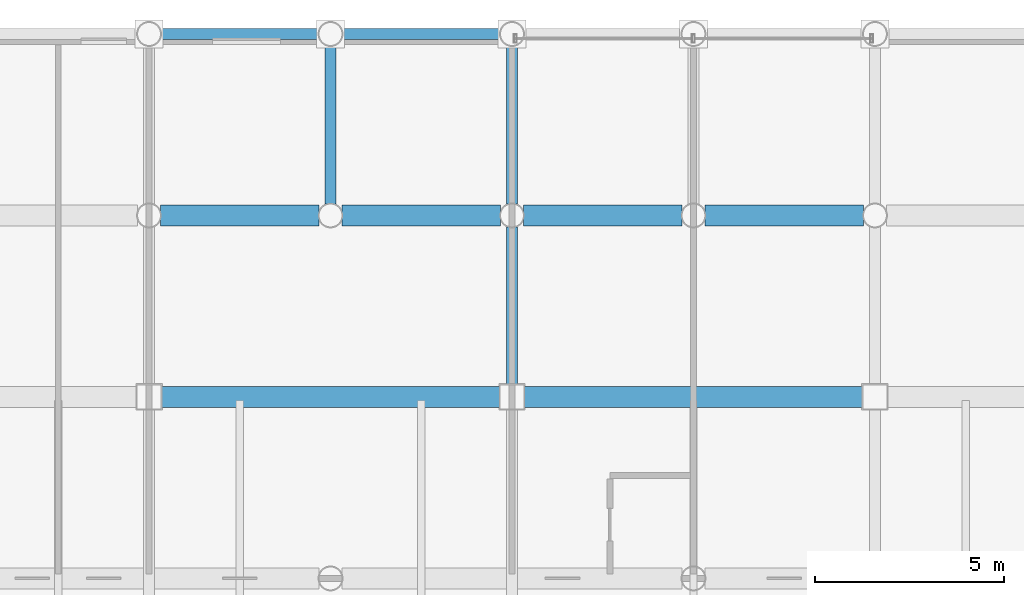
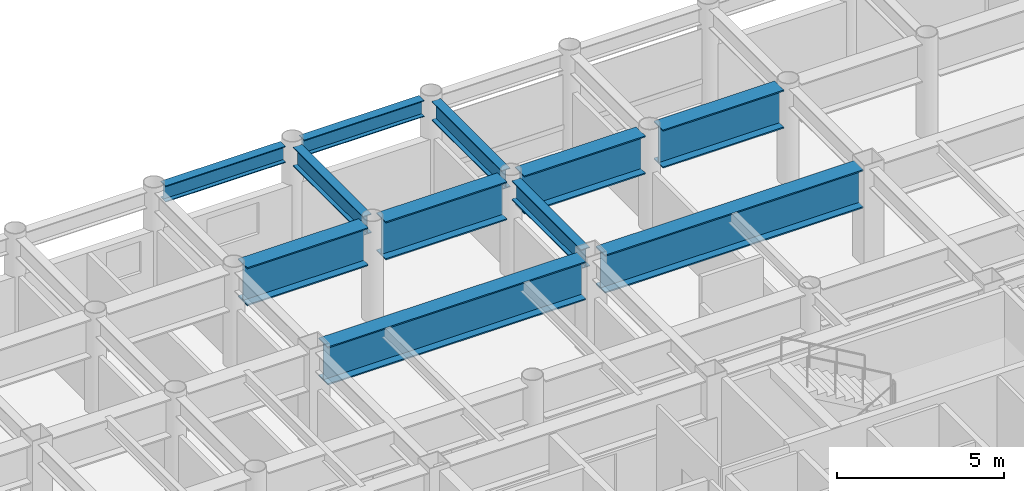
# One storey, part 12 of 22: 11 beams.
"""IFC4 building model written with IfcOpenShell, lengths in metres."""

from ifc_helpers import new_model, si_unit, direction, frame, origin, origin_2d, place, context, subcontext, project, spatial, i_section, extrude, material, material_profile, profile_set, type_object, element, save


model = new_model("IFC4")

# Units and contexts
model_context = context("Model", 3, precision=1e-05, world=origin(), true_north=direction((0.0, 1.0)))
body_context = subcontext(model_context, "Body", "Model", "MODEL_VIEW")
ifc_project = project(units=[si_unit("LENGTHUNIT", "METRE"), si_unit("AREAUNIT", "SQUARE_METRE"), si_unit("VOLUMEUNIT", "CUBIC_METRE"), si_unit("PLANEANGLEUNIT", "RADIAN"), si_unit("MASSUNIT", "GRAM", prefix="KILO")], contexts=[model_context])

# Site, building, storey
site_placement = place(None, origin())
site = spatial("IfcSite", under=ifc_project, at=site_placement, CompositionType="ELEMENT")
building_placement = place(site_placement, origin())
building = spatial("IfcBuilding", under=site, at=building_placement, Name="Kallvorn Hotel Tower", CompositionType="ELEMENT")
storey_placement = place(building_placement, frame((0.0, 0.0, 95.199951171875)))
storey = spatial("IfcBuildingStorey", under=building, at=storey_placement, Name="L22", CompositionType="ELEMENT", Elevation=95.199951171875)

# Beams
ifc_material_1 = material(Name="Structural steel S355JR", Category="steel")
ifc_material_profile_1 = material_profile(ifc_material_1, i_section(OverallWidth=0.300048828125, OverallDepth=0.60009765625, WebThickness=0.015380859375, FlangeThickness=0.030029296875, at=origin_2d()), Name="HE 600 B")
ifc_profile_set_1 = profile_set([ifc_material_profile_1], Name="Structural steel S355JR")
beam_type_1 = type_object("IfcBeamType", Name="BM_HE600B", PredefinedType="SPANDREL", material=ifc_profile_set_1)
beam_1_placement = place(storey_placement, frame((-14.080078125, 24.0, 3.219970703125), z_axis=(1.0, 0.0, 0.0), x_axis=(0.0, 1.0, 0.0)))
element("IfcBeam", 1, at=beam_1_placement, inside=storey, type_object=beam_type_1, Name="L23 Perimeter Spandrel 165", PredefinedType="SPANDREL", context=body_context, shape_type="SweptSolid", body=[
    extrude(i_section(OverallWidth=0.300048828125, OverallDepth=0.60009765625, WebThickness=0.015380859375, FlangeThickness=0.030029296875, at=origin_2d()), origin(), (0.0, 0.0, 1.0), 4.16015625),
])
beam_2_placement = place(storey_placement, frame((-9.280029296875, 24.0, 3.219970703125), z_axis=(1.0, 0.0, 0.0), x_axis=(0.0, 1.0, 0.0)))
element("IfcBeam", 2, at=beam_2_placement, inside=storey, type_object=beam_type_1, Name="L23 Perimeter Spandrel 166", PredefinedType="SPANDREL", context=body_context, shape_type="SweptSolid", body=[
    extrude(i_section(OverallWidth=0.300048828125, OverallDepth=0.60009765625, WebThickness=0.015380859375, FlangeThickness=0.030029296875, at=origin_2d()), origin(), (0.0, 0.0, 1.0), 4.159912109375),
])
ifc_material_2 = material(Name="Structural steel S355JR", Category="steel")
ifc_material_profile_2 = material_profile(ifc_material_2, i_section(OverallWidth=0.300048828125, OverallDepth=0.699951171875, WebThickness=0.01708984375, FlangeThickness=0.031982421875, at=origin_2d()), Name="HE 700 B")
ifc_profile_set_2 = profile_set([ifc_material_profile_2], Name="Structural steel S355JR")
beam_type_2 = type_object("IfcBeamType", Name="BM_HE700B", PredefinedType="BEAM", material=ifc_profile_set_2)
beam_3_placement = place(storey_placement, frame((-9.60009765625, 19.5048828125, 3.170166015625), z_axis=(0.0, 1.0, 0.0), x_axis=(-1.0, 0.0, 0.0)))
element("IfcBeam", 3, at=beam_3_placement, inside=storey, type_object=beam_type_2, Name="L23 Primary Y-Girder 104", PredefinedType="BEAM", context=body_context, shape_type="SweptSolid", body=[
    extrude(i_section(OverallWidth=0.300048828125, OverallDepth=0.699951171875, WebThickness=0.01708984375, FlangeThickness=0.031982421875, at=origin_2d()), origin(), (0.0, 0.0, 1.0), 4.190185546875),
])
beam_4_placement = place(storey_placement, frame((-4.800048828125, 14.72509765625, 3.170166015625), z_axis=(0.0, 1.0, 0.0), x_axis=(-1.0, 0.0, 0.0)))
element("IfcBeam", 4, at=beam_4_placement, inside=storey, type_object=beam_type_2, Name="L23 Primary Y-Girder 108", PredefinedType="BEAM", context=body_context, shape_type="SweptSolid", body=[
    extrude(i_section(OverallWidth=0.300048828125, OverallDepth=0.699951171875, WebThickness=0.01708984375, FlangeThickness=0.031982421875, at=origin_2d()), origin(), (0.0, 0.0, 1.0), 4.169921875),
])
beam_5_placement = place(storey_placement, frame((-4.800048828125, 19.5048828125, 3.170166015625), z_axis=(0.0, 1.0, 0.0), x_axis=(-1.0, 0.0, 0.0)))
element("IfcBeam", 5, at=beam_5_placement, inside=storey, type_object=beam_type_2, Name="L23 Primary Y-Girder 109", PredefinedType="BEAM", context=body_context, shape_type="SweptSolid", body=[
    extrude(i_section(OverallWidth=0.300048828125, OverallDepth=0.699951171875, WebThickness=0.01708984375, FlangeThickness=0.031982421875, at=origin_2d()), origin(), (0.0, 0.0, 1.0), 4.190185546875),
])
ifc_material_3 = material(Name="Structural steel S355JR", Category="steel")
ifc_material_profile_3 = material_profile(ifc_material_3, i_section(OverallWidth=0.550048828125, OverallDepth=1.39990234375, WebThickness=0.02490234375, FlangeThickness=0.044921875, at=origin_2d()), Name="PG 1400x550x25x45")
ifc_profile_set_3 = profile_set([ifc_material_profile_3], Name="Structural steel S355JR")
beam_type_3 = type_object("IfcBeamType", Name="BM_PG_1400", PredefinedType="BEAM", material=ifc_profile_set_3)
beam_6_placement = place(storey_placement, frame((-14.074951171875, 14.39990234375, 2.820068359375), z_axis=(1.0, 0.0, 0.0), x_axis=(0.0, 1.0, 0.0)))
element("IfcBeam", 6, at=beam_6_placement, inside=storey, type_object=beam_type_3, Name="L23 Primary X-Girder 53", PredefinedType="BEAM", context=body_context, shape_type="SweptSolid", body=[
    extrude(i_section(OverallWidth=0.550048828125, OverallDepth=1.39990234375, WebThickness=0.02490234375, FlangeThickness=0.044921875, at=origin_2d()), origin(), (0.0, 0.0, 1.0), 8.949951171875),
])
beam_7_placement = place(storey_placement, frame((-4.47509765625, 14.39990234375, 2.820068359375), z_axis=(1.0, 0.0, 0.0), x_axis=(0.0, 1.0, 0.0)))
element("IfcBeam", 7, at=beam_7_placement, inside=storey, type_object=beam_type_3, Name="L23 Primary X-Girder 54", PredefinedType="BEAM", context=body_context, shape_type="SweptSolid", body=[
    extrude(i_section(OverallWidth=0.550048828125, OverallDepth=1.39990234375, WebThickness=0.02490234375, FlangeThickness=0.044921875, at=origin_2d()), origin(), (0.0, 0.0, 1.0), 8.9501953125),
])
for number, where, z_axis, x_axis, name in (
    (8, (-14.094970703125, 19.199951171875, 2.820068359375), (1.0, 0.0, 0.0), (0.0, 1.0, 0.0), "L23 Primary X-Girder 63"),
    (9, (-9.294921875, 19.199951171875, 2.820068359375), (1.0, 0.0, 0.0), (0.0, 1.0, 0.0), "L23 Primary X-Girder 64"),
):
    element("IfcBeam", number, at=place(storey_placement, frame(where, z_axis=z_axis, x_axis=x_axis)), inside=storey, type_object=beam_type_3, Name=name, PredefinedType="BEAM", context=body_context, shape_type="SweptSolid", body=[
        extrude(i_section(OverallWidth=0.550048828125, OverallDepth=1.39990234375, WebThickness=0.02490234375, FlangeThickness=0.044921875, at=origin_2d()), origin(), (0.0, 0.0, 1.0), 4.18994140625),
    ])
for number, where, z_axis, x_axis, name in (
    (10, (-4.4951171875, 19.199951171875, 2.820068359375), (1.0, 0.0, 0.0), (0.0, 1.0, 0.0), "L23 Primary X-Girder 65"),
    (11, (0.304931640625, 19.199951171875, 2.820068359375), (1.0, 0.0, 0.0), (0.0, 1.0, 0.0), "L23 Primary X-Girder 66"),
):
    element("IfcBeam", number, at=place(storey_placement, frame(where, z_axis=z_axis, x_axis=x_axis)), inside=storey, type_object=beam_type_3, Name=name, PredefinedType="BEAM", context=body_context, shape_type="SweptSolid", body=[
        extrude(i_section(OverallWidth=0.550048828125, OverallDepth=1.39990234375, WebThickness=0.02490234375, FlangeThickness=0.044921875, at=origin_2d()), origin(), (0.0, 0.0, 1.0), 4.190185546875),
    ])

save(model, "model.ifc")
